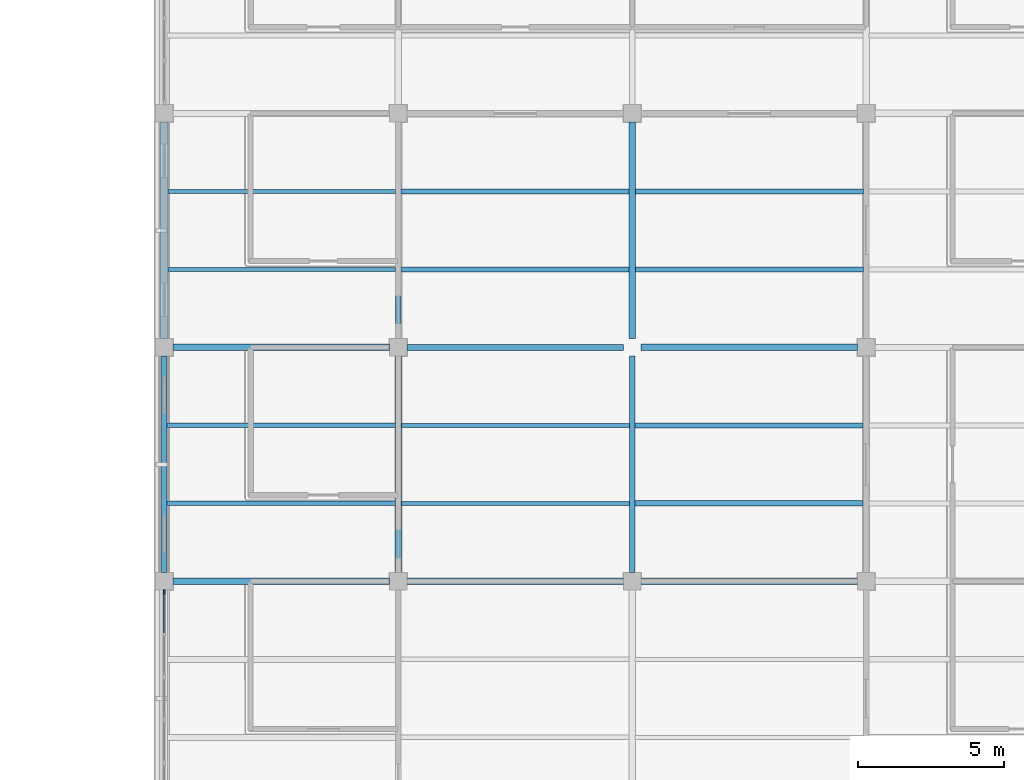
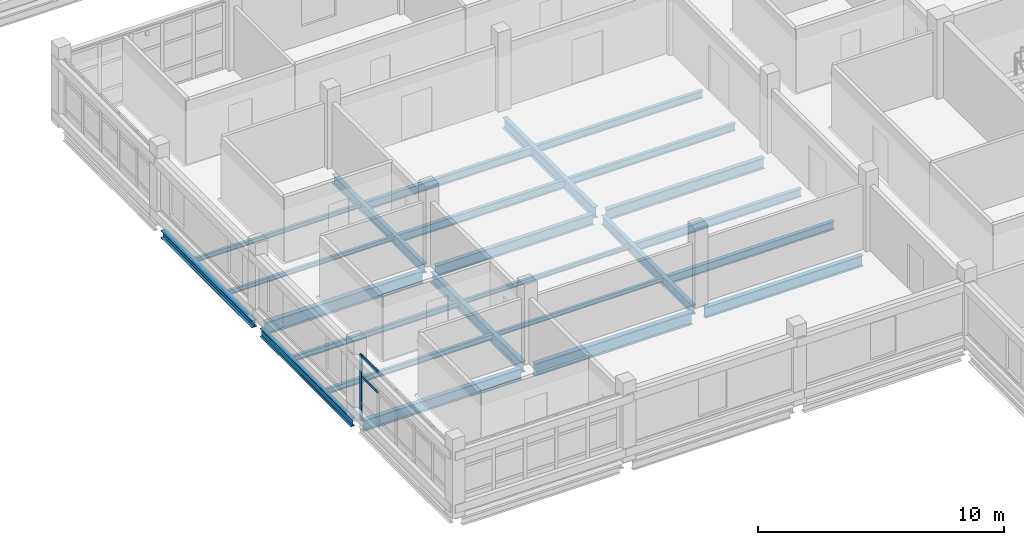
# One storey, part 46 of 126: 24 beams, 3 members, 1 element without a shape of its own.
"""IFC4 building model written with IfcOpenShell, lengths in metres."""

from ifc_helpers import new_model, si_unit, derived_unit, direction, frame, origin, origin_2d, place, context, subcontext, project, spatial, rectangle, i_section, extrude, material, layer, layer_set, material_profile, profile_set, type_object, element, aggregate, save


model = new_model("IFC4")

# Units and contexts
model_context = context("Model", 3, precision=1e-05, world=origin(), true_north=direction((0.0, 1.0)))
body_context = subcontext(model_context, "Body", "Model", "MODEL_VIEW")
ifc_project = project(units=[si_unit("LENGTHUNIT", "METRE"), si_unit("AREAUNIT", "SQUARE_METRE"), si_unit("VOLUMEUNIT", "CUBIC_METRE"), si_unit("PLANEANGLEUNIT", "RADIAN"), si_unit("MASSUNIT", "GRAM", prefix="KILO"), derived_unit("THERMALTRANSMITTANCEUNIT", [(si_unit("MASSUNIT", "GRAM", prefix="KILO"), 1), (si_unit("TIMEUNIT", "SECOND"), -3), (si_unit("THERMODYNAMICTEMPERATUREUNIT", "KELVIN"), -1)])], contexts=[model_context])

# Site, building, storey
site_placement = place(None, origin())
site = spatial("IfcSite", under=ifc_project, at=site_placement, CompositionType="ELEMENT")
building_placement = place(site_placement, origin())
building = spatial("IfcBuilding", under=site, at=building_placement, Name="Veyamyaing Civic Hall", CompositionType="ELEMENT")
storey_placement = place(building_placement, frame((0.0, 0.0, 9.89990234375)))
storey = spatial("IfcBuildingStorey", under=building, at=storey_placement, Name="L02", CompositionType="ELEMENT", Elevation=9.89990234375)

# Beams
ifc_material_1 = material(Name="Steel ASTM A992", Category="steel")
ifc_material_profile_1 = material_profile(ifc_material_1, i_section(OverallWidth=0.22802734375, OverallDepth=0.60791015625, WebThickness=0.01123046875, FlangeThickness=0.017333984375, FilletRadius=0.012939453125, at=origin_2d()), Name="W610X113")
ifc_profile_set_1 = profile_set([ifc_material_profile_1], Name="Steel ASTM A992")
beam_type_1 = type_object("IfcBeamType", Name="B-06", PredefinedType="BEAM", material=ifc_profile_set_1)
for number, where, z_axis, x_axis, name in (
    (1, (144.300048828125, 16.0, -0.5888671875), (1.0, 0.0, 0.0), (0.0, 1.0, 0.0), "Girder B-06 L02 Grid C 19-20"),
    (2, (136.300048828125, 24.0, -0.5888671875), (1.0, 0.0, 0.0), (0.0, 1.0, 0.0), "Girder B-06 L02 Grid D 18-19"),
):
    element("IfcBeam", number, at=place(storey_placement, frame(where, z_axis=z_axis, x_axis=x_axis)), inside=storey, type_object=beam_type_1, Name=name, PredefinedType="BEAM", context=body_context, shape_type="SweptSolid", body=[
        extrude(i_section(OverallWidth=0.22802734375, OverallDepth=0.60791015625, WebThickness=0.01123046875, FlangeThickness=0.017333984375, FilletRadius=0.012939453125, at=origin_2d()), origin(), (0.0, 0.0, 1.0), 7.39990234375),
    ])
ifc_material_profile_2 = material_profile(ifc_material_1, i_section(OverallWidth=0.208984375, OverallDepth=0.532958984375, WebThickness=0.01025390625, FlangeThickness=0.015625, FilletRadius=0.011962890625, at=origin_2d()), Name="W530X92")
ifc_profile_set_2 = profile_set([ifc_material_profile_2], Name="Steel ASTM A992")
beam_type_2 = type_object("IfcBeamType", Name="B-07", PredefinedType="BEAM", material=ifc_profile_set_2)
for number, where, z_axis, x_axis, name in (
    (3, (152.300048828125, 16.0, -0.551513671875), (1.0, 0.0, 0.0), (0.0, 1.0, 0.0), "Girder B-07 L02 Grid C 20-21"),
    (4, (144.300048828125, 24.0, -0.551513671875), (1.0, 0.0, 0.0), (0.0, 1.0, 0.0), "Girder B-07 L02 Grid D 19-20"),
    (5, (144.0, 16.300048828125, -0.551513671875), (0.0, 1.0, 0.0), (-1.0, 0.0, 0.0), "Girder B-07 L02 Grid 19 C-D"),
):
    element("IfcBeam", number, at=place(storey_placement, frame(where, z_axis=z_axis, x_axis=x_axis)), inside=storey, type_object=beam_type_2, Name=name, PredefinedType="BEAM", context=body_context, shape_type="SweptSolid", body=[
        extrude(i_section(OverallWidth=0.208984375, OverallDepth=0.532958984375, WebThickness=0.01025390625, FlangeThickness=0.015625, FilletRadius=0.011962890625, at=origin_2d()), origin(), (0.0, 0.0, 1.0), 7.39990234375),
    ])
ifc_material_profile_3 = material_profile(ifc_material_1, i_section(OverallWidth=0.19189453125, OverallDepth=0.462890625, WebThickness=0.010498046875, FlangeThickness=0.017578125, FilletRadius=0.010009765625, at=origin_2d()), Name="W460X89")
ifc_profile_set_3 = profile_set([ifc_material_profile_3], Name="Steel ASTM A992")
beam_type_3 = type_object("IfcBeamType", Name="B-08", PredefinedType="BEAM", material=ifc_profile_set_3)
for number, where, z_axis, x_axis, name in (
    (6, (144.0, 24.300048828125, -0.516357421875), (0.0, 1.0, 0.0), (-1.0, 0.0, 0.0), "Girder B-08 L02 Grid 19 D-E"),
    (7, (152.0, 16.300048828125, -0.516357421875), (0.0, 1.0, 0.0), (-1.0, 0.0, 0.0), "Girder B-08 L02 Grid 20 C-D"),
):
    element("IfcBeam", number, at=place(storey_placement, frame(where, z_axis=z_axis, x_axis=x_axis)), inside=storey, type_object=beam_type_3, Name=name, PredefinedType="BEAM", context=body_context, shape_type="SweptSolid", body=[
        extrude(i_section(OverallWidth=0.19189453125, OverallDepth=0.462890625, WebThickness=0.010498046875, FlangeThickness=0.017578125, FilletRadius=0.010009765625, at=origin_2d()), origin(), (0.0, 0.0, 1.0), 7.39990234375),
    ])
ifc_material_profile_4 = material_profile(ifc_material_1, i_section(OverallWidth=0.214111328125, OverallDepth=0.549072265625, WebThickness=0.0146484375, FlangeThickness=0.023681640625, FilletRadius=0.011962890625, at=origin_2d()), Name="W530X138")
ifc_profile_set_4 = profile_set([ifc_material_profile_4], Name="Steel ASTM A992")
beam_type_4 = type_object("IfcBeamType", Name="B-16", PredefinedType="BEAM", material=ifc_profile_set_4)
beam_1_placement = place(storey_placement, frame((152.300048828125, 24.0, -0.559326171875), z_axis=(1.0, 0.0, 0.0), x_axis=(0.0, 1.0, 0.0)))
element("IfcBeam", 8, at=beam_1_placement, inside=storey, type_object=beam_type_4, Name="Girder B-16 L02 Grid D 20-21", PredefinedType="BEAM", context=body_context, shape_type="SweptSolid", body=[
    extrude(i_section(OverallWidth=0.214111328125, OverallDepth=0.549072265625, WebThickness=0.0146484375, FlangeThickness=0.023681640625, FilletRadius=0.011962890625, at=origin_2d()), origin(), (0.0, 0.0, 1.0), 7.39990234375),
])
ifc_material_profile_5 = material_profile(ifc_material_1, i_section(OverallWidth=0.2109375, OverallDepth=0.5390625, WebThickness=0.01171875, FlangeThickness=0.018798828125, FilletRadius=0.011962890625, at=origin_2d()), Name="W530X109")
ifc_profile_set_5 = profile_set([ifc_material_profile_5], Name="Steel ASTM A992")
beam_type_5 = type_object("IfcBeamType", Name="B-17", PredefinedType="BEAM", material=ifc_profile_set_5)
for number, where, z_axis, x_axis, name in (
    (9, (136.300048828125, 16.0, -0.554443359375), (1.0, 0.0, 0.0), (0.0, 1.0, 0.0), "Girder B-17 L02 Grid C 18-19"),
    (10, (152.0, 24.300048828125, -0.554443359375), (0.0, 1.0, 0.0), (-1.0, 0.0, 0.0), "Girder B-17 L02 Grid 20 D-E"),
):
    element("IfcBeam", number, at=place(storey_placement, frame(where, z_axis=z_axis, x_axis=x_axis)), inside=storey, type_object=beam_type_5, Name=name, PredefinedType="BEAM", context=body_context, shape_type="SweptSolid", body=[
        extrude(i_section(OverallWidth=0.2109375, OverallDepth=0.5390625, WebThickness=0.01171875, FlangeThickness=0.018798828125, FilletRadius=0.011962890625, at=origin_2d()), origin(), (0.0, 0.0, 1.0), 7.39990234375),
    ])
ifc_material_profile_6 = material_profile(ifc_material_1, i_section(OverallWidth=0.180908203125, OverallDepth=0.4169921875, WebThickness=0.010986328125, FlangeThickness=0.018310546875, FilletRadius=0.010009765625, at=origin_2d()), Name="W410X85")
ifc_profile_set_6 = profile_set([ifc_material_profile_6], Name="Steel ASTM A992")
beam_type_6 = type_object("IfcBeamType", Name="B-19", PredefinedType="SPANDREL", material=ifc_profile_set_6)
beam_2_placement = place(storey_placement, frame((136.0, 16.300048828125, -0.493408203125), z_axis=(0.0, 1.0, 0.0), x_axis=(-1.0, 0.0, 0.0)))
element("IfcBeam", 11, at=beam_2_placement, inside=storey, type_object=beam_type_6, Name="Girder B-19 L02 Grid 18 C-D", PredefinedType="SPANDREL", context=body_context, shape_type="SweptSolid", body=[
    extrude(i_section(OverallWidth=0.180908203125, OverallDepth=0.4169921875, WebThickness=0.010986328125, FlangeThickness=0.018310546875, FilletRadius=0.010009765625, at=origin_2d()), origin(), (0.0, 0.0, 1.0), 7.39990234375),
])
ifc_material_profile_7 = material_profile(ifc_material_1, i_section(OverallWidth=0.25390625, OverallDepth=0.35302734375, WebThickness=0.009521484375, FlangeThickness=0.016357421875, FilletRadius=0.011962890625, at=origin_2d()), Name="W360X91")
ifc_profile_set_7 = profile_set([ifc_material_profile_7], Name="Steel ASTM A992")
beam_type_7 = type_object("IfcBeamType", Name="B-20", PredefinedType="SPANDREL", material=ifc_profile_set_7)
beam_3_placement = place(storey_placement, frame((136.0, 24.300048828125, -0.46142578125), z_axis=(0.0, 1.0, 0.0), x_axis=(-1.0, 0.0, 0.0)))
element("IfcBeam", 12, at=beam_3_placement, inside=storey, type_object=beam_type_7, Name="Girder B-20 L02 Grid 18 D-E", PredefinedType="SPANDREL", context=body_context, shape_type="SweptSolid", body=[
    extrude(i_section(OverallWidth=0.25390625, OverallDepth=0.35302734375, WebThickness=0.009521484375, FlangeThickness=0.016357421875, FilletRadius=0.011962890625, at=origin_2d()), origin(), (0.0, 0.0, 1.0), 7.39990234375),
])

# Curtain wall, members
ifc_material_2 = material(Name="Anodised aluminium 6063-T6", Category="aluminium")
ifc_layer = layer(ifc_material_2, 0.159912109375, Name="Anodised aluminium 6063-T6")
ifc_layer_set = layer_set([ifc_layer], Name="Anodised aluminium 6063-T6")
curtain_wall_type = type_object("IfcCurtainWallType", Name="CW-03", PredefinedType="NOTDEFINED", material=ifc_layer_set)
curtain_wall_placement = place(storey_placement, origin())
curtain_wall = element("IfcCurtainWall", 13, at=curtain_wall_placement, inside=storey, type_object=curtain_wall_type, Name="Unitized curtain wall CW-03 L02 W 18.2", PredefinedType="NOTDEFINED")
ifc_material_profile_8 = material_profile(ifc_material_2, rectangle(XDim=0.06494140625, YDim=0.159912109375, at=origin_2d()), Name="ALU-MUL-65X160")
ifc_profile_set_8 = profile_set([ifc_material_profile_8], Name="Anodised aluminium 6063-T6")
member_type_1 = type_object("IfcMemberType", Name="CWM-01", PredefinedType="MULLION", material=ifc_profile_set_8)
member_1_placement = place(storey_placement, frame((136.0, 15.637451171875, 0.0), z_axis=(0.0, 0.0, 1.0), x_axis=(-1.0, 0.0, 0.0)))
member_1 = element("IfcMember", 14, at=member_1_placement, type_object=member_type_1, Name="CW-03 mullion 6", PredefinedType="MULLION", context=body_context, shape_type="SweptSolid", body=[
    extrude(rectangle(XDim=0.06494140625, YDim=0.159912109375, at=origin_2d()), origin(), (0.0, 0.0, 1.0), 3.280029296875),
])
ifc_material_profile_9 = material_profile(ifc_material_2, rectangle(XDim=0.06494140625, YDim=0.1201171875, at=origin_2d()), Name="ALU-TRN-65X120")
ifc_profile_set_9 = profile_set([ifc_material_profile_9], Name="Anodised aluminium 6063-T6")
member_type_2 = type_object("IfcMemberType", Name="CWT-01", PredefinedType="USERDEFINED", material=ifc_profile_set_9)
member_2_placement = place(storey_placement, frame((136.0, 14.234619140625, 2.23046875), z_axis=(0.0, 1.0, 0.0), x_axis=(-1.0, 0.0, 0.0)))
member_2 = element("IfcMember", 15, at=member_2_placement, type_object=member_type_2, Name="CW-03 transom 5.3", ObjectType="TRANSOM", PredefinedType="USERDEFINED", context=body_context, shape_type="SweptSolid", body=[
    extrude(rectangle(XDim=0.06494140625, YDim=0.1201171875, at=origin_2d()), origin(), (0.0, 0.0, 1.0), 1.370361328125),
])
member_3_placement = place(storey_placement, frame((136.0, 14.234619140625, 3.24755859375), z_axis=(0.0, 1.0, 0.0), x_axis=(-1.0, 0.0, 0.0)))
member_3 = element("IfcMember", 16, at=member_3_placement, type_object=member_type_2, Name="CW-03 transom 5.4", ObjectType="TRANSOM", PredefinedType="USERDEFINED", context=body_context, shape_type="SweptSolid", body=[
    extrude(rectangle(XDim=0.06494140625, YDim=0.1201171875, at=origin_2d()), origin(), (0.0, 0.0, 1.0), 1.370361328125),
])
aggregate(curtain_wall, [member_1, member_2, member_3])

# Beams
ifc_material_profile_10 = material_profile(ifc_material_1, i_section(OverallWidth=0.177978515625, OverallDepth=0.406982421875, WebThickness=0.0078125, FlangeThickness=0.0126953125, FilletRadius=0.010009765625, at=origin_2d()), Name="W410X60")
ifc_profile_set_10 = profile_set([ifc_material_profile_10], Name="Steel ASTM A992")
beam_type_8 = type_object("IfcBeamType", Name="J-01", PredefinedType="JOIST", material=ifc_profile_set_10)
for number, where, z_axis, x_axis, name in (
    (17, (144.093994140625, 26.666748046875, -0.48828125), (1.0, 0.0, 0.0), (0.0, 1.0, 0.0), "Composite floor joist J-01 L02 19.4.1"),
    (18, (144.093994140625, 29.333251953125, -0.48828125), (1.0, 0.0, 0.0), (0.0, 1.0, 0.0), "Composite floor joist J-01 L02 19.4.2"),
    (19, (152.093994140625, 18.666748046875, -0.48828125), (1.0, 0.0, 0.0), (0.0, 1.0, 0.0), "Composite floor joist J-01 L02 20.3.1"),
    (20, (152.093994140625, 21.333251953125, -0.48828125), (1.0, 0.0, 0.0), (0.0, 1.0, 0.0), "Composite floor joist J-01 L02 20.3.2"),
):
    element("IfcBeam", number, at=place(storey_placement, frame(where, z_axis=z_axis, x_axis=x_axis)), inside=storey, type_object=beam_type_8, Name=name, PredefinedType="JOIST", context=body_context, shape_type="SweptSolid", body=[
        extrude(i_section(OverallWidth=0.177978515625, OverallDepth=0.406982421875, WebThickness=0.0078125, FlangeThickness=0.0126953125, FilletRadius=0.010009765625, at=origin_2d()), origin(), (0.0, 0.0, 1.0), 7.802490234375),
    ])
ifc_material_profile_11 = material_profile(ifc_material_1, i_section(OverallWidth=0.172119140625, OverallDepth=0.35791015625, WebThickness=0.0078125, FlangeThickness=0.01318359375, FilletRadius=0.010009765625, at=origin_2d()), Name="W360X57")
ifc_profile_set_11 = profile_set([ifc_material_profile_11], Name="Steel ASTM A992")
beam_type_9 = type_object("IfcBeamType", Name="J-02", PredefinedType="JOIST", material=ifc_profile_set_11)
for number, where, z_axis, x_axis, name in (
    (21, (152.103515625, 26.666748046875, -0.4638671875), (1.0, 0.0, 0.0), (0.0, 1.0, 0.0), "Composite floor joist J-02 L02 20.4.1"),
    (22, (152.103515625, 29.333251953125, -0.4638671875), (1.0, 0.0, 0.0), (0.0, 1.0, 0.0), "Composite floor joist J-02 L02 20.4.2"),
):
    element("IfcBeam", number, at=place(storey_placement, frame(where, z_axis=z_axis, x_axis=x_axis)), inside=storey, type_object=beam_type_9, Name=name, PredefinedType="JOIST", context=body_context, shape_type="SweptSolid", body=[
        extrude(i_section(OverallWidth=0.172119140625, OverallDepth=0.35791015625, WebThickness=0.0078125, FlangeThickness=0.01318359375, FilletRadius=0.010009765625, at=origin_2d()), origin(), (0.0, 0.0, 1.0), 7.801513671875),
    ])
ifc_material_profile_12 = material_profile(ifc_material_1, i_section(OverallWidth=0.14794921875, OverallDepth=0.26611328125, WebThickness=0.007568359375, FlangeThickness=0.012939453125, FilletRadius=0.010009765625, at=origin_2d()), Name="W250X45")
ifc_profile_set_12 = profile_set([ifc_material_profile_12], Name="Steel ASTM A992")
beam_type_10 = type_object("IfcBeamType", Name="J-07", PredefinedType="JOIST", material=ifc_profile_set_12)
for number, where, z_axis, x_axis, name in (
    (23, (136.08837890625, 18.666748046875, -0.41796875), (1.0, 0.0, 0.0), (0.0, 1.0, 0.0), "Composite floor joist J-07 L02 18.3.1"),
    (24, (136.08837890625, 21.333251953125, -0.41796875), (1.0, 0.0, 0.0), (0.0, 1.0, 0.0), "Composite floor joist J-07 L02 18.3.2"),
):
    element("IfcBeam", number, at=place(storey_placement, frame(where, z_axis=z_axis, x_axis=x_axis)), inside=storey, type_object=beam_type_10, Name=name, PredefinedType="JOIST", context=body_context, shape_type="SweptSolid", body=[
        extrude(i_section(OverallWidth=0.14794921875, OverallDepth=0.26611328125, WebThickness=0.007568359375, FlangeThickness=0.012939453125, FilletRadius=0.010009765625, at=origin_2d()), origin(), (0.0, 0.0, 1.0), 7.80908203125),
    ])
ifc_material_profile_13 = material_profile(ifc_material_1, i_section(OverallWidth=0.133056640625, OverallDepth=0.20703125, WebThickness=0.005859375, FlangeThickness=0.00830078125, FilletRadius=0.010009765625, at=origin_2d()), Name="W200X27")
ifc_profile_set_13 = profile_set([ifc_material_profile_13], Name="Steel ASTM A992")
beam_type_11 = type_object("IfcBeamType", Name="J-08", PredefinedType="JOIST", material=ifc_profile_set_13)
for number, where, z_axis, x_axis, name in (
    (25, (136.125, 26.666748046875, -0.388427734375), (1.0, 0.0, 0.0), (0.0, 1.0, 0.0), "Composite floor joist J-08 L02 18.4.1"),
    (26, (136.125, 29.333251953125, -0.388427734375), (1.0, 0.0, 0.0), (0.0, 1.0, 0.0), "Composite floor joist J-08 L02 18.4.2"),
):
    element("IfcBeam", number, at=place(storey_placement, frame(where, z_axis=z_axis, x_axis=x_axis)), inside=storey, type_object=beam_type_11, Name=name, PredefinedType="JOIST", context=body_context, shape_type="SweptSolid", body=[
        extrude(i_section(OverallWidth=0.133056640625, OverallDepth=0.20703125, WebThickness=0.005859375, FlangeThickness=0.00830078125, FilletRadius=0.010009765625, at=origin_2d()), origin(), (0.0, 0.0, 1.0), 7.781005859375),
    ])
for number, where, z_axis, x_axis, name in (
    (27, (144.1025390625, 18.666748046875, -0.388427734375), (1.0, 0.0, 0.0), (0.0, 1.0, 0.0), "Composite floor joist J-08 L02 19.3.1"),
    (28, (144.1025390625, 21.333251953125, -0.388427734375), (1.0, 0.0, 0.0), (0.0, 1.0, 0.0), "Composite floor joist J-08 L02 19.3.2"),
):
    element("IfcBeam", number, at=place(storey_placement, frame(where, z_axis=z_axis, x_axis=x_axis)), inside=storey, type_object=beam_type_11, Name=name, PredefinedType="JOIST", context=body_context, shape_type="SweptSolid", body=[
        extrude(i_section(OverallWidth=0.133056640625, OverallDepth=0.20703125, WebThickness=0.005859375, FlangeThickness=0.00830078125, FilletRadius=0.010009765625, at=origin_2d()), origin(), (0.0, 0.0, 1.0), 7.803466796875),
    ])

save(model, "model.ifc")
